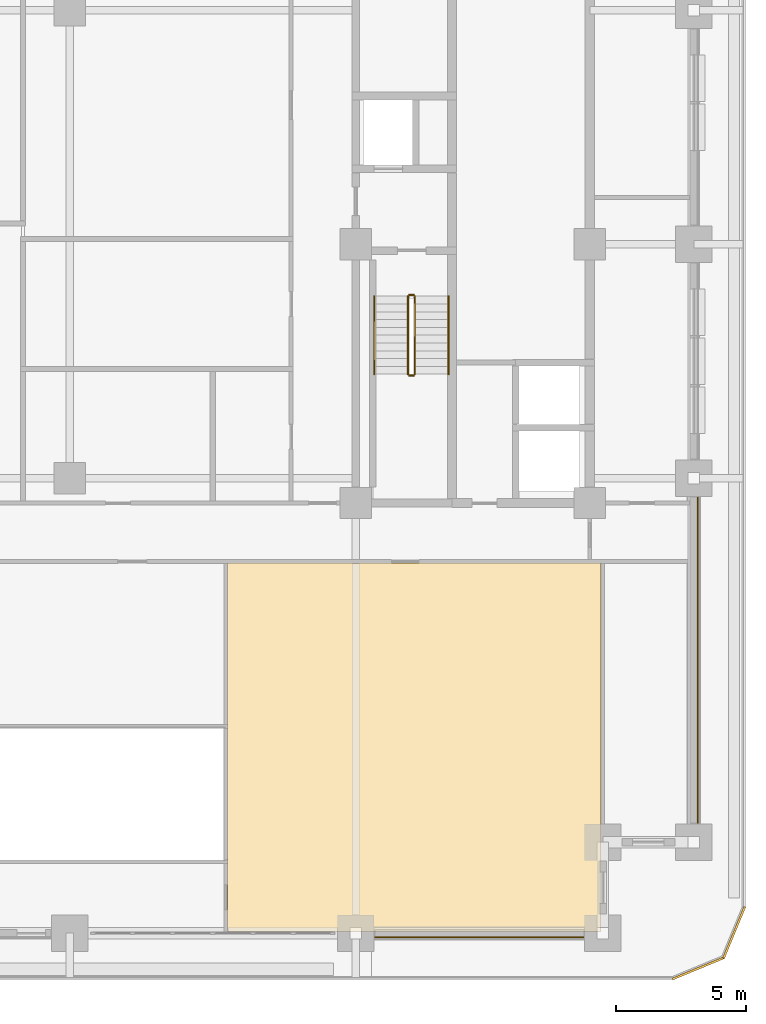
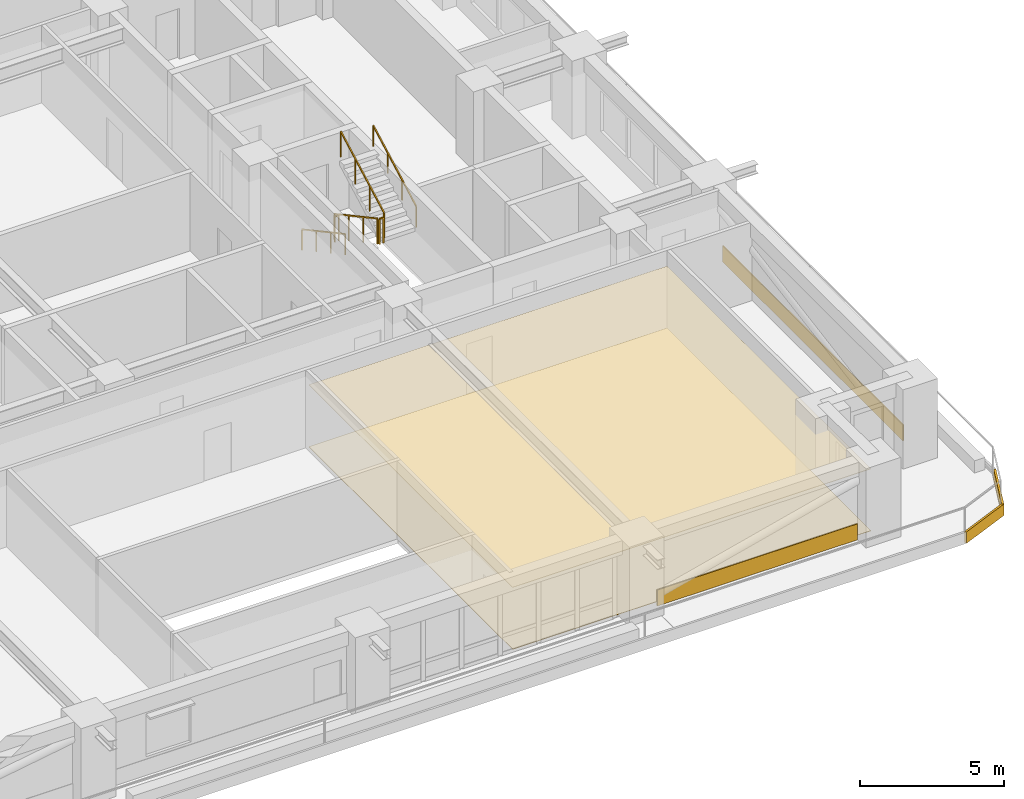
# One storey, part 19 of 20: 6 coverings, 6 railings.
"""IFC4 building model written with IfcOpenShell, lengths in metres."""

from ifc_helpers import new_model, si_unit, direction, frame, frame_2d, origin, origin_2d, place, context, subcontext, project, spatial, polyline, rectangle, outline, extrude, material, layer, layer_set, type_object, element, save


model = new_model("IFC4")

# Units and contexts
model_context = context("Model", 3, precision=1e-05, world=origin(), true_north=direction((0.0, 1.0)))
body_context = subcontext(model_context, "Body", "Model", "MODEL_VIEW")
ifc_project = project(units=[si_unit("LENGTHUNIT", "METRE"), si_unit("AREAUNIT", "SQUARE_METRE"), si_unit("VOLUMEUNIT", "CUBIC_METRE"), si_unit("PLANEANGLEUNIT", "RADIAN"), si_unit("MASSUNIT", "GRAM", prefix="KILO")], contexts=[model_context])

# Site, building, storey
site_placement = place(None, origin())
site = spatial("IfcSite", under=ifc_project, at=site_placement, CompositionType="ELEMENT")
building_placement = place(site_placement, origin())
building = spatial("IfcBuilding", under=site, at=building_placement, Name="Zulmaris Gate Convention Tower", CompositionType="ELEMENT")
storey_placement = place(building_placement, frame((0.0, 0.0, 75.0400390625)))
storey = spatial("IfcBuildingStorey", under=building, at=storey_placement, Name="L18", CompositionType="ELEMENT", Elevation=75.0400390625)

# Coverings
ifc_material_1 = material(Name="Precast concrete C40/50", Category="concrete")
ifc_layer_1 = layer(ifc_material_1, 0.0400390625, Name="Precast concrete C40/50")
ifc_layer_set_1 = layer_set([ifc_layer_1], Name="Precast concrete C40/50")
covering_type_1 = type_object("IfcCoveringType", Name="CLAD-SPANDREL-PRECAST", PredefinedType="CLADDING", material=ifc_layer_set_1)
covering_1_placement = place(storey_placement, frame((11.72998046875, -26.64990234375, 0.0), z_axis=(0.0, 0.0, 1.0), x_axis=(1.0, 0.0, 0.0)))
element("IfcCovering", 1, at=covering_1_placement, inside=storey, type_object=covering_type_1, Name="CLD-L18-S-3_0", PredefinedType="CLADDING", context=body_context, shape_type="SweptSolid", body=[
    extrude(rectangle(XDim=8.0400390625, YDim=0.0400390625, at=frame_2d((4.02001953125, 0.0))), origin(), (0.0, 0.0, 1.0), 0.679931640625),
])
covering_2_placement = place(storey_placement, frame((24.14990234375, -22.27001953125, 0.0), z_axis=(0.0, 0.0, 1.0), x_axis=(0.0, 1.0, 0.0)))
element("IfcCovering", 2, at=covering_2_placement, inside=storey, type_object=covering_type_1, Name="CLD-L18-E-0_0", PredefinedType="CLADDING", context=body_context, shape_type="SweptSolid", body=[
    extrude(rectangle(XDim=12.5400390625, YDim=0.0400390625, at=frame_2d((6.27001953125, 0.0))), origin(), (0.0, 0.0, 1.0), 0.679931640625),
])
ifc_material_2 = material(Name="White Glazed Architectural Precast Concrete C40/50", Category="concrete")
ifc_layer_2 = layer(ifc_material_2, 0.080078125, Name="White Glazed Architectural Precast Concrete C40/50")
ifc_layer_set_2 = layer_set([ifc_layer_2], Name="White Glazed Architectural Precast Concrete C40/50")
covering_type_2 = type_object("IfcCoveringType", Name="CLAD-TRAY-FASCIA", PredefinedType="CLADDING", material=ifc_layer_set_2)
covering_3_placement = place(storey_placement, frame((23.184814453125, -28.262939453125, -0.364990234375), z_axis=(0.0, 0.0, 1.0), x_axis=(0.923873803533, 0.382697263049, 0.0)))
element("IfcCovering", 3, at=covering_3_placement, inside=storey, type_object=covering_type_2, Name="FSC-L18-TR-03", PredefinedType="CLADDING", context=body_context, shape_type="SweptSolid", body=[
    extrude(rectangle(XDim=2.142822265625, YDim=0.080078125, at=frame_2d((1.0712890625, 0.0))), origin(), (0.0, 0.0, 1.0), 0.48486328125),
])
covering_4_placement = place(storey_placement, frame((25.142822265625, -27.464599609375, -0.364990234375), z_axis=(0.0, 0.0, 1.0), x_axis=(0.382656984709, 0.923890487046, 0.0)))
element("IfcCovering", 4, at=covering_4_placement, inside=storey, type_object=covering_type_2, Name="FSC-L18-TR-04", PredefinedType="CLADDING", context=body_context, shape_type="SweptSolid", body=[
    extrude(rectangle(XDim=2.14306640625, YDim=0.080078125, at=frame_2d((1.071533203125, 0.0))), origin(), (0.0, 0.0, 1.0), 0.48486328125),
])
ifc_material_3 = material(Name="Mineral Fibre Acoustic Ceiling Tile")
ifc_layer_3 = layer(ifc_material_3, 0.02001953125, Name="Mineral Fibre Acoustic Ceiling Tile")
ifc_layer_set_3 = layer_set([ifc_layer_3], Name="Mineral Fibre Acoustic Ceiling Tile")
covering_type_3 = type_object("IfcCoveringType", Name="CLG-ACOUSTIC-600", PredefinedType="CEILING", material=ifc_layer_set_3)
covering_5_placement = place(storey_placement, frame((0.0, 0.0, 2.6279296875)))
element("IfcCovering", 5, at=covering_5_placement, inside=storey, type_object=covering_type_3, Name="CLG-L18-R39", PredefinedType="CEILING", context=body_context, shape_type="SweptSolid", body=[
    extrude(outline(polyline([(6.06005859375, -26.43994140625), (20.43994140625, -26.43994140625), (20.43994140625, -12.260009765625), (6.06005859375, -12.260009765625), (6.06005859375, -26.43994140625)])), origin(), (0.0, 0.0, 1.0), 0.02001953125),
])
ifc_material_4 = material(Name="Woven Acoustic Wool Carpet Tile")
ifc_layer_4 = layer(ifc_material_4, 0.02001953125, Name="Woven Acoustic Wool Carpet Tile")
ifc_layer_set_4 = layer_set([ifc_layer_4], Name="Woven Acoustic Wool Carpet Tile")
covering_type_4 = type_object("IfcCoveringType", Name="FLR-CARPET-12", PredefinedType="FLOORING", material=ifc_layer_set_4)
covering_6_placement = place(storey_placement, origin())
element("IfcCovering", 6, at=covering_6_placement, inside=storey, type_object=covering_type_4, Name="FLR-L18-R39", PredefinedType="FLOORING", context=body_context, shape_type="SweptSolid", body=[
    extrude(outline(polyline([(6.06005859375, -26.43994140625), (20.43994140625, -26.43994140625), (20.43994140625, -12.260009765625), (6.06005859375, -12.260009765625), (6.06005859375, -26.43994140625)])), origin(), (0.0, 0.0, 1.0), 0.02001953125),
])

# Railings
ifc_material_5 = material(Name="Painted Galvanised Steel", Category="steel")
railing_type_1 = type_object("IfcRailingType", Name="RL-STG-1150", PredefinedType="GUARDRAIL", material=ifc_material_5)
railing_1_placement = place(storey_placement, frame((13.010009765625, -2.0, 0.162109375)))
element("IfcRailing", 7, at=railing_1_placement, inside=storey, type_object=railing_type_1, Name="L18 ST-2 stair guard 1", PredefinedType="GUARDRAIL", context=body_context, shape_type="SweptSolid", body=[
    extrude(rectangle(XDim=0.048095703125, YDim=0.048095703125, at=origin_2d()), frame((0.0, 0.0, 1.076171875), z_axis=(0.0, -0.8795616155, 0.475784998228), x_axis=(1.0, 0.0, 0.0)), (0.0, 0.0, 1.0), 3.410888671875),
    extrude(rectangle(XDim=0.0419921875, YDim=0.0419921875, at=origin_2d()), origin(), (0.0, 0.0, 1.0), 1.052001953125),
    extrude(rectangle(XDim=0.0419921875, YDim=0.0419921875, at=origin_2d()), frame((0.0, -1.0, 0.541015625)), (0.0, 0.0, 1.0), 1.052001953125),
    extrude(rectangle(XDim=0.0419921875, YDim=0.0419921875, at=origin_2d()), frame((0.0, -2.0, 1.081787109375)), (0.0, 0.0, 1.0), 1.052001953125),
    extrude(rectangle(XDim=0.0419921875, YDim=0.0419921875, at=origin_2d()), frame((0.0, -3.0, 1.622802734375)), (0.0, 0.0, 1.0), 1.052001953125),
])
railing_2_placement = place(storey_placement, frame((13.06005859375, -5.050048828125, 1.784912109375)))
element("IfcRailing", 8, at=railing_2_placement, inside=storey, type_object=railing_type_1, Name="L18 ST-2 stair guard 2", PredefinedType="GUARDRAIL", context=body_context, shape_type="SweptSolid", body=[
    extrude(rectangle(XDim=0.048095703125, YDim=0.048095703125, at=origin_2d()), frame((0.0, 0.0, 1.076171875), z_axis=(1.0, 0.0, 0.0), x_axis=(0.0, 1.0, 0.0)), (0.0, 0.0, 1.0), 0.159912109375),
    extrude(rectangle(XDim=0.0419921875, YDim=0.0419921875, at=origin_2d()), origin(), (0.0, 0.0, 1.0), 1.052001953125),
    extrude(rectangle(XDim=0.0419921875, YDim=0.0419921875, at=origin_2d()), frame((0.159912109375, 0.0, 0.0)), (0.0, 0.0, 1.0), 1.052001953125),
])
railing_3_placement = place(storey_placement, frame((13.27001953125, -5.0, 1.947265625)))
element("IfcRailing", 9, at=railing_3_placement, inside=storey, type_object=railing_type_1, Name="L18 ST-2 stair guard 3", PredefinedType="GUARDRAIL", context=body_context, shape_type="SweptSolid", body=[
    extrude(rectangle(XDim=0.048095703125, YDim=0.048095703125, at=origin_2d()), frame((0.0, 0.0, 1.076171875), z_axis=(0.0, 0.879591569277, 0.475729619907), x_axis=(-1.0, 0.0, 0.0)), (0.0, 0.0, 1.0), 3.41064453125),
    extrude(rectangle(XDim=0.0419921875, YDim=0.0419921875, at=origin_2d()), origin(), (0.0, 0.0, 1.0), 1.052001953125),
    extrude(rectangle(XDim=0.0419921875, YDim=0.0419921875, at=origin_2d()), frame((0.0, 1.0, 0.540771484375)), (0.0, 0.0, 1.0), 1.052001953125),
    extrude(rectangle(XDim=0.0419921875, YDim=0.0419921875, at=origin_2d()), frame((0.0, 2.0, 1.081787109375)), (0.0, 0.0, 1.0), 1.052001953125),
    extrude(rectangle(XDim=0.0419921875, YDim=0.0419921875, at=origin_2d()), frame((0.0, 3.0, 1.62255859375)), (0.0, 0.0, 1.0), 1.052001953125),
])
railing_4_placement = place(storey_placement, frame((13.06005859375, -1.949951171875, 0.0)))
element("IfcRailing", 10, at=railing_4_placement, inside=storey, type_object=railing_type_1, Name="L18 ST-2 stair guard 4", PredefinedType="GUARDRAIL", context=body_context, shape_type="SweptSolid", body=[
    extrude(rectangle(XDim=0.048095703125, YDim=0.048095703125, at=origin_2d()), frame((0.0, 0.0, 1.076171875), z_axis=(1.0, 0.0, 0.0), x_axis=(0.0, 1.0, 0.0)), (0.0, 0.0, 1.0), 0.159912109375),
    extrude(rectangle(XDim=0.0419921875, YDim=0.0419921875, at=origin_2d()), origin(), (0.0, 0.0, 1.0), 1.052001953125),
    extrude(rectangle(XDim=0.0419921875, YDim=0.0419921875, at=origin_2d()), frame((0.159912109375, 0.0, 0.0)), (0.0, 0.0, 1.0), 1.052001953125),
])
ifc_material_6 = material(Name="Brushed Stainless Steel", Category="steel")
railing_type_2 = type_object("IfcRailingType", Name="RL-STH-900", PredefinedType="HANDRAIL", material=ifc_material_6)
railing_5_placement = place(storey_placement, frame((11.7099609375, -2.0, 0.162109375)))
element("IfcRailing", 11, at=railing_5_placement, inside=storey, type_object=railing_type_2, Name="L18 ST-2 stair handrail 1", PredefinedType="HANDRAIL", context=body_context, shape_type="SweptSolid", body=[
    extrude(rectangle(XDim=0.048095703125, YDim=0.048095703125, at=origin_2d()), frame((0.0, 0.0, 0.8759765625), z_axis=(0.0, -0.8795616155, 0.475784998228), x_axis=(1.0, 0.0, 0.0)), (0.0, 0.0, 1.0), 3.410888671875),
    extrude(rectangle(XDim=0.0419921875, YDim=0.0419921875, at=origin_2d()), origin(), (0.0, 0.0, 1.0), 0.851806640625),
    extrude(rectangle(XDim=0.0419921875, YDim=0.0419921875, at=origin_2d()), frame((0.0, -1.0, 0.541015625)), (0.0, 0.0, 1.0), 0.851806640625),
    extrude(rectangle(XDim=0.0419921875, YDim=0.0419921875, at=origin_2d()), frame((0.0, -2.0, 1.081787109375)), (0.0, 0.0, 1.0), 0.851806640625),
    extrude(rectangle(XDim=0.0419921875, YDim=0.0419921875, at=origin_2d()), frame((0.0, -3.0, 1.622802734375)), (0.0, 0.0, 1.0), 0.851806640625),
])
railing_6_placement = place(storey_placement, frame((14.570068359375, -5.0, 1.947265625)))
element("IfcRailing", 12, at=railing_6_placement, inside=storey, type_object=railing_type_2, Name="L18 ST-2 stair handrail 2", PredefinedType="HANDRAIL", context=body_context, shape_type="SweptSolid", body=[
    extrude(rectangle(XDim=0.048095703125, YDim=0.048095703125, at=origin_2d()), frame((0.0, 0.0, 0.8759765625), z_axis=(0.0, 0.879591569277, 0.475729619907), x_axis=(-1.0, 0.0, 0.0)), (0.0, 0.0, 1.0), 3.41064453125),
    extrude(rectangle(XDim=0.0419921875, YDim=0.0419921875, at=origin_2d()), origin(), (0.0, 0.0, 1.0), 0.851806640625),
    extrude(rectangle(XDim=0.0419921875, YDim=0.0419921875, at=origin_2d()), frame((0.0, 1.0, 0.540771484375)), (0.0, 0.0, 1.0), 0.851806640625),
    extrude(rectangle(XDim=0.0419921875, YDim=0.0419921875, at=origin_2d()), frame((0.0, 2.0, 1.081787109375)), (0.0, 0.0, 1.0), 0.851806640625),
    extrude(rectangle(XDim=0.0419921875, YDim=0.0419921875, at=origin_2d()), frame((0.0, 3.0, 1.62255859375)), (0.0, 0.0, 1.0), 0.851806640625),
])

save(model, "model.ifc")
